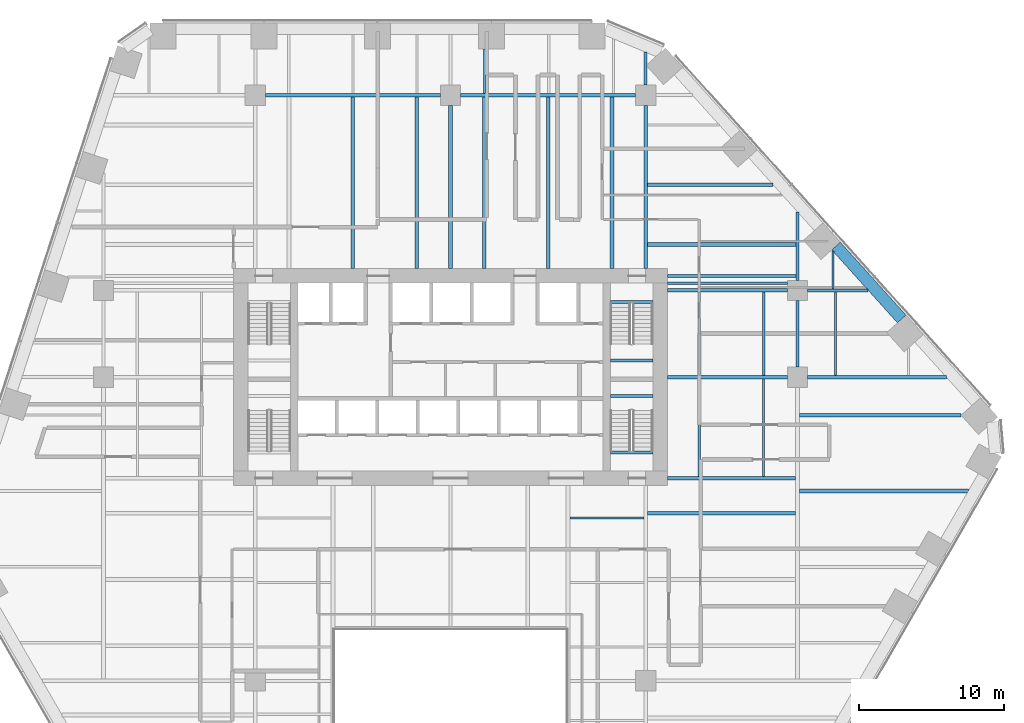
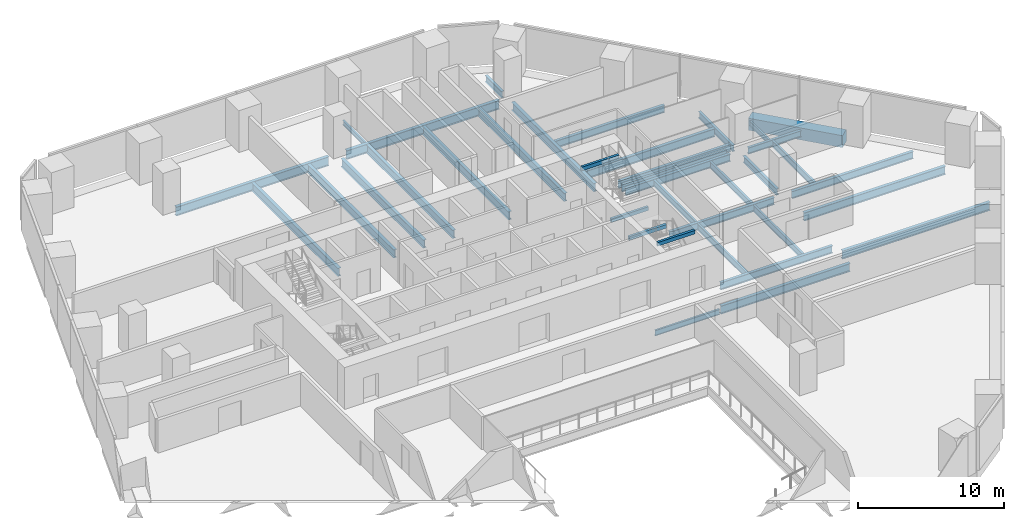
# One storey, part 9 of 21: 37 beams.
"""IFC4 building model written with IfcOpenShell, lengths in metres."""

from ifc_helpers import new_model, si_unit, direction, frame, origin, origin_2d, place, context, subcontext, project, spatial, rectangle, i_section, extrude, material, material_profile, profile_set, type_object, element, save


model = new_model("IFC4")

# Units and contexts
model_context = context("Model", 3, precision=1e-05, world=origin(), true_north=direction((0.0, 1.0)))
body_context = subcontext(model_context, "Body", "Model", "MODEL_VIEW")
ifc_project = project(units=[si_unit("LENGTHUNIT", "METRE"), si_unit("AREAUNIT", "SQUARE_METRE"), si_unit("VOLUMEUNIT", "CUBIC_METRE"), si_unit("PLANEANGLEUNIT", "RADIAN"), si_unit("MASSUNIT", "GRAM", prefix="KILO")], contexts=[model_context])

# Site, building, storey
site_placement = place(None, origin())
site = spatial("IfcSite", under=ifc_project, at=site_placement, CompositionType="ELEMENT")
building_placement = place(site_placement, origin())
building = spatial("IfcBuilding", under=site, at=building_placement, Name="Isthmus Gate Tower", CompositionType="ELEMENT")
storey_placement = place(building_placement, frame((0.0, 0.0, 50.60009765625)))
storey = spatial("IfcBuildingStorey", under=building, at=storey_placement, Name="L10", CompositionType="ELEMENT", Elevation=50.60009765625)

# Beams
ifc_material_1 = material(Name="Concrete f'c 70 MPa", Category="concrete")
ifc_material_profile_1 = material_profile(ifc_material_1, rectangle(XDim=0.800048828125, YDim=1.0, at=origin_2d()), Name="RC 800X1000")
ifc_profile_set_1 = profile_set([ifc_material_profile_1], Name="Concrete f'c 70 MPa")
beam_type_1 = type_object("IfcBeamType", Name="RC SPANDREL 800 X 1000", PredefinedType="SPANDREL", material=ifc_profile_set_1)
beam_1_placement = place(storey_placement, frame((26.664794921875, 16.566162109375, -0.5), z_axis=(0.669117690519, -0.743156454748, 0.0), x_axis=(0.743156454748, 0.669117690519, 0.0)))
element("IfcBeam", 1, at=beam_1_placement, inside=storey, type_object=beam_type_1, Name="str-spandrel-L10-03", PredefinedType="SPANDREL", context=body_context, shape_type="SweptSolid", body=[
    extrude(rectangle(XDim=0.800048828125, YDim=1.0, at=origin_2d()), origin(), (0.0, 0.0, 1.0), 6.78955078125),
])
ifc_material_2 = material(Name="Concrete f'c 40 MPa", Category="concrete")
ifc_material_profile_2 = material_profile(ifc_material_2, rectangle(XDim=0.199951171875, YDim=0.300048828125, at=origin_2d()), Name="STAIR LANDING BEAM RC 200 X 300")
ifc_profile_set_2 = profile_set([ifc_material_profile_2], Name="Concrete f'c 40 MPa")
beam_type_2 = type_object("IfcBeamType", Name="STAIR LANDING BEAM RC 200 X 300", PredefinedType="BEAM", material=ifc_profile_set_2)
for number, where, z_axis, x_axis, name in (
    (2, (11.050048828125, 8.64990234375, 1.474853515625), (1.0, 0.0, 0.0), (0.0, 1.0, 0.0), "L10 ST2 landing beam 1"),
    (3, (11.050048828125, 12.7001953125, 3.349853515625), (1.0, 0.0, 0.0), (0.0, 1.0, 0.0), "L10 ST2 floor-edge seat beam"),
    (4, (11.050048828125, 6.199951171875, 1.474853515625), (1.0, 0.0, 0.0), (0.0, 1.0, 0.0), "L10 ST8 landing beam 1"),
    (5, (11.050048828125, 2.2998046875, 3.349853515625), (1.0, 0.0, 0.0), (0.0, 1.0, 0.0), "L10 ST8 floor-edge seat beam"),
):
    element("IfcBeam", number, at=place(storey_placement, frame(where, z_axis=z_axis, x_axis=x_axis)), inside=storey, type_object=beam_type_2, Name=name, PredefinedType="BEAM", context=body_context, shape_type="SweptSolid", body=[
        extrude(rectangle(XDim=0.199951171875, YDim=0.300048828125, at=origin_2d()), origin(), (0.0, 0.0, 1.0), 2.949951171875),
    ])
ifc_material_3 = material(Name="Structural steel ASTM A992 Gr 50", Category="steel")
ifc_material_profile_3 = material_profile(ifc_material_3, i_section(OverallWidth=0.1396484375, OverallDepth=0.4033203125, WebThickness=0.00634765625, FlangeThickness=0.010986328125, at=origin_2d()), Name="W16X31")
ifc_profile_set_3 = profile_set([ifc_material_profile_3], Name="Structural steel ASTM A992 Gr 50")
beam_type_3 = type_object("IfcBeamType", Name="STEEL FLOOR BEAM W16X31", PredefinedType="JOIST", material=ifc_profile_set_3)
beam_2_placement = place(storey_placement, frame((2.33740234375, 27.1318359375, -0.351806640625), z_axis=(0.0, 1.0, 0.0), x_axis=(-1.0, 0.0, 0.0)))
element("IfcBeam", 6, at=beam_2_placement, inside=storey, type_object=beam_type_3, Name="str-beam-L10-19-00", PredefinedType="JOIST", context=body_context, shape_type="SweptSolid", body=[
    extrude(i_section(OverallWidth=0.1396484375, OverallDepth=0.4033203125, WebThickness=0.00634765625, FlangeThickness=0.010986328125, at=origin_2d()), origin(), (0.0, 0.0, 1.0), 3.068115234375),
])
beam_3_placement = place(storey_placement, frame((26.448974609375, 13.604736328125, -0.351806640625), z_axis=(0.0, 1.0, 0.0), x_axis=(-1.0, 0.0, 0.0)))
element("IfcBeam", 7, at=beam_3_placement, inside=storey, type_object=beam_type_3, Name="str-beam-L10-32-00", PredefinedType="JOIST", context=body_context, shape_type="SweptSolid", body=[
    extrude(i_section(OverallWidth=0.1396484375, OverallDepth=0.4033203125, WebThickness=0.00634765625, FlangeThickness=0.010986328125, at=origin_2d()), origin(), (0.0, 0.0, 1.0), 2.603515625),
])
ifc_material_4 = material(Name="Structural steel ASTM A992 Gr 50", Category="steel")
ifc_material_profile_4 = material_profile(ifc_material_4, i_section(OverallWidth=0.15234375, OverallDepth=0.45068359375, WebThickness=0.0078125, FlangeThickness=0.010986328125, at=origin_2d()), Name="W18X35")
ifc_profile_set_4 = profile_set([ifc_material_profile_4], Name="Structural steel ASTM A992 Gr 50")
beam_type_4 = type_object("IfcBeamType", Name="STEEL FLOOR BEAM W18X35", PredefinedType="JOIST", material=ifc_profile_set_4)
beam_4_placement = place(storey_placement, frame((8.263427734375, -2.232421875, -0.37548828125), z_axis=(1.0, 0.0, 0.0), x_axis=(0.0, 1.0, 0.0)))
element("IfcBeam", 8, at=beam_4_placement, inside=storey, type_object=beam_type_4, Name="str-beam-L10-23-02", PredefinedType="JOIST", context=body_context, shape_type="SweptSolid", body=[
    extrude(i_section(OverallWidth=0.15234375, OverallDepth=0.45068359375, WebThickness=0.0078125, FlangeThickness=0.010986328125, at=origin_2d()), origin(), (0.0, 0.0, 1.0), 5.104736328125),
])
ifc_material_5 = material(Name="Structural steel ASTM A992 Gr 50", Category="steel")
ifc_material_profile_5 = material_profile(ifc_material_5, i_section(OverallWidth=0.1650390625, OverallDepth=0.52392578125, WebThickness=0.009521484375, FlangeThickness=0.010986328125, at=origin_2d()), Name="W21X44")
ifc_profile_set_5 = profile_set([ifc_material_profile_5], Name="Structural steel ASTM A992 Gr 50")
beam_type_5 = type_object("IfcBeamType", Name="STEEL FLOOR BEAM W21X44", PredefinedType="JOIST", material=ifc_profile_set_5)
for number, where, z_axis, x_axis, name in (
    (9, (17.223876953125, 7.6142578125, -0.412109375), (0.0, 1.0, 0.0), (-1.0, 0.0, 0.0), "str-beam-L10-30-00"),
    (10, (21.67138671875, 7.6142578125, -0.412109375), (0.0, 1.0, 0.0), (-1.0, 0.0, 0.0), "str-beam-L10-30-01"),
):
    element("IfcBeam", number, at=place(storey_placement, frame(where, z_axis=z_axis, x_axis=x_axis)), inside=storey, type_object=beam_type_5, Name=name, PredefinedType="JOIST", context=body_context, shape_type="SweptSolid", body=[
        extrude(i_section(OverallWidth=0.1650390625, OverallDepth=0.52392578125, WebThickness=0.009521484375, FlangeThickness=0.010986328125, at=origin_2d()), origin(), (0.0, 0.0, 1.0), 5.771484375),
    ])
for number, where, z_axis, x_axis, name in (
    (11, (17.216552734375, 0.6142578125, -0.412109375), (0.0, 1.0, 0.0), (-1.0, 0.0, 0.0), "str-beam-L10-31-00"),
    (12, (21.64990234375, 0.6142578125, -0.412109375), (0.0, 1.0, 0.0), (-1.0, 0.0, 0.0), "str-beam-L10-31-01"),
):
    element("IfcBeam", number, at=place(storey_placement, frame(where, z_axis=z_axis, x_axis=x_axis)), inside=storey, type_object=beam_type_5, Name=name, PredefinedType="JOIST", context=body_context, shape_type="SweptSolid", body=[
        extrude(i_section(OverallWidth=0.1650390625, OverallDepth=0.52392578125, WebThickness=0.009521484375, FlangeThickness=0.010986328125, at=origin_2d()), origin(), (0.0, 0.0, 1.0), 6.771484375),
    ])
beam_5_placement = place(storey_placement, frame((26.625244140625, 7.6142578125, -0.412109375), z_axis=(0.0, 1.0, 0.0), x_axis=(-1.0, 0.0, 0.0)))
element("IfcBeam", 13, at=beam_5_placement, inside=storey, type_object=beam_type_5, Name="str-beam-L10-33-00", PredefinedType="JOIST", context=body_context, shape_type="SweptSolid", body=[
    extrude(i_section(OverallWidth=0.1650390625, OverallDepth=0.52392578125, WebThickness=0.009521484375, FlangeThickness=0.010986328125, at=origin_2d()), origin(), (0.0, 0.0, 1.0), 5.781005859375),
])
ifc_material_6 = material(Name="Structural steel ASTM A992 Gr 50", Category="steel")
ifc_material_profile_6 = material_profile(ifc_material_6, i_section(OverallWidth=0.177734375, OverallDepth=0.60009765625, WebThickness=0.009521484375, FlangeThickness=0.0126953125, at=origin_2d()), Name="W24X55")
ifc_profile_set_6 = profile_set([ifc_material_profile_6], Name="Structural steel ASTM A992 Gr 50")
beam_type_6 = type_object("IfcBeamType", Name="STEEL FLOOR BEAM W24X55", PredefinedType="JOIST", material=ifc_profile_set_6)
beam_6_placement = place(storey_placement, frame((15.0, 14.0, -0.4501953125), z_axis=(1.0, 0.0, 0.0), x_axis=(0.0, 1.0, 0.0)))
element("IfcBeam", 14, at=beam_6_placement, inside=storey, type_object=beam_type_6, Name="str-beam-L10-29-00", PredefinedType="JOIST", context=body_context, shape_type="SweptSolid", body=[
    extrude(i_section(OverallWidth=0.177734375, OverallDepth=0.60009765625, WebThickness=0.009521484375, FlangeThickness=0.0126953125, at=origin_2d()), origin(), (0.0, 0.0, 1.0), 8.300048828125),
])
ifc_material_7 = material(Name="Structural steel ASTM A992 Gr 50", Category="steel")
ifc_material_profile_7 = material_profile(ifc_material_7, i_section(OverallWidth=0.228515625, OverallDepth=0.603271484375, WebThickness=0.010986328125, FlangeThickness=0.014404296875, at=origin_2d()), Name="W24X68")
ifc_profile_set_7 = profile_set([ifc_material_profile_7], Name="Structural steel ASTM A992 Gr 50")
beam_type_7 = type_object("IfcBeamType", Name="STEEL FLOOR BEAM W24X68", PredefinedType="JOIST", material=ifc_profile_set_7)
beam_7_placement = place(storey_placement, frame((13.626953125, 20.80712890625, -0.45166015625), z_axis=(1.0, 0.0, 0.0), x_axis=(0.0, 1.0, 0.0)))
element("IfcBeam", 15, at=beam_7_placement, inside=storey, type_object=beam_type_7, Name="str-beam-L10-26-01", PredefinedType="JOIST", context=body_context, shape_type="SweptSolid", body=[
    extrude(i_section(OverallWidth=0.228515625, OverallDepth=0.603271484375, WebThickness=0.010986328125, FlangeThickness=0.014404296875, at=origin_2d()), origin(), (0.0, 0.0, 1.0), 8.680908203125),
])
ifc_material_8 = material(Name="Structural steel ASTM A992 Gr 50", Category="steel")
ifc_material_profile_8 = material_profile(ifc_material_8, i_section(OverallWidth=0.25390625, OverallDepth=0.679443359375, WebThickness=0.010986328125, FlangeThickness=0.015869140625, at=origin_2d()), Name="W27X84")
ifc_profile_set_8 = profile_set([ifc_material_profile_8], Name="Structural steel ASTM A992 Gr 50")
beam_type_8 = type_object("IfcBeamType", Name="STEEL FLOOR BEAM W27X84", PredefinedType="JOIST", material=ifc_profile_set_8)
for number, where, z_axis, x_axis, name in (
    (16, (-6.75, 15.0, -0.48974609375), (0.0, 1.0, 0.0), (-1.0, 0.0, 0.0), "str-beam-L10-13-01"),
    (17, (-2.334716796875, 15.0, -0.48974609375), (0.0, 1.0, 0.0), (-1.0, 0.0, 0.0), "str-beam-L10-13-02"),
    (18, (2.334716796875, 15.0, -0.48974609375), (0.0, 1.0, 0.0), (-1.0, 0.0, 0.0), "str-beam-L10-20-00"),
    (19, (6.75, 15.0, -0.48974609375), (0.0, 1.0, 0.0), (-1.0, 0.0, 0.0), "str-beam-L10-20-01"),
    (20, (11.165283203125, 15.0, -0.48974609375), (0.0, 1.0, 0.0), (-1.0, 0.0, 0.0), "str-beam-L10-20-02"),
):
    element("IfcBeam", number, at=place(storey_placement, frame(where, z_axis=z_axis, x_axis=x_axis)), inside=storey, type_object=beam_type_8, Name=name, PredefinedType="JOIST", context=body_context, shape_type="SweptSolid", body=[
        extrude(i_section(OverallWidth=0.25390625, OverallDepth=0.679443359375, WebThickness=0.010986328125, FlangeThickness=0.015869140625, at=origin_2d()), origin(), (0.0, 0.0, 1.0), 11.8681640625),
    ])
beam_8_placement = place(storey_placement, frame((13.626953125, 16.678466796875, -0.48974609375), z_axis=(1.0, 0.0, 0.0), x_axis=(0.0, 1.0, 0.0)))
element("IfcBeam", 21, at=beam_8_placement, inside=storey, type_object=beam_type_8, Name="str-beam-L10-26-00", PredefinedType="JOIST", context=body_context, shape_type="SweptSolid", body=[
    extrude(i_section(OverallWidth=0.25390625, OverallDepth=0.679443359375, WebThickness=0.010986328125, FlangeThickness=0.015869140625, at=origin_2d()), origin(), (0.0, 0.0, 1.0), 10.268310546875),
])
beam_9_placement = place(storey_placement, frame((13.6318359375, -1.90625, -0.48974609375), z_axis=(1.0, 0.0, 0.0), x_axis=(0.0, 1.0, 0.0)))
element("IfcBeam", 22, at=beam_9_placement, inside=storey, type_object=beam_type_8, Name="str-beam-L10-27-02", PredefinedType="JOIST", context=body_context, shape_type="SweptSolid", body=[
    extrude(i_section(OverallWidth=0.25390625, OverallDepth=0.679443359375, WebThickness=0.010986328125, FlangeThickness=0.015869140625, at=origin_2d()), origin(), (0.0, 0.0, 1.0), 10.23486328125),
])
beam_10_placement = place(storey_placement, frame((24.13330078125, -0.375, -0.48974609375), z_axis=(1.0, 0.0, 0.0), x_axis=(0.0, 1.0, 0.0)))
element("IfcBeam", 23, at=beam_10_placement, inside=storey, type_object=beam_type_8, Name="str-beam-L10-34-02", PredefinedType="JOIST", context=body_context, shape_type="SweptSolid", body=[
    extrude(i_section(OverallWidth=0.25390625, OverallDepth=0.679443359375, WebThickness=0.010986328125, FlangeThickness=0.015869140625, at=origin_2d()), origin(), (0.0, 0.0, 1.0), 11.6767578125),
])
beam_11_placement = place(storey_placement, frame((24.13330078125, 4.875, -0.48974609375), z_axis=(1.0, 0.0, 0.0), x_axis=(0.0, 1.0, 0.0)))
element("IfcBeam", 24, at=beam_11_placement, inside=storey, type_object=beam_type_8, Name="str-beam-L10-34-03", PredefinedType="JOIST", context=body_context, shape_type="SweptSolid", body=[
    extrude(i_section(OverallWidth=0.25390625, OverallDepth=0.679443359375, WebThickness=0.010986328125, FlangeThickness=0.015869140625, at=origin_2d()), origin(), (0.0, 0.0, 1.0), 11.185302734375),
])
ifc_material_9 = material(Name="Structural steel ASTM A992 Gr 50", Category="steel")
ifc_material_profile_9 = material_profile(ifc_material_9, i_section(OverallWidth=0.20947265625, OverallDepth=0.533447265625, WebThickness=0.009521484375, FlangeThickness=0.015869140625, at=origin_2d()), Name="W21X62")
ifc_profile_set_9 = profile_set([ifc_material_profile_9], Name="Structural steel ASTM A992 Gr 50")
beam_type_9 = type_object("IfcBeamType", Name="STEEL GIRDER W21X62", PredefinedType="BEAM", material=ifc_profile_set_9)
beam_12_placement = place(storey_placement, frame((24.699951171875, 13.5, -0.416748046875), z_axis=(1.0, 0.0, 0.0), x_axis=(0.0, 1.0, 0.0)))
element("IfcBeam", 25, at=beam_12_placement, inside=storey, type_object=beam_type_9, Name="str-girder-L10-15", PredefinedType="BEAM", context=body_context, shape_type="SweptSolid", body=[
    extrude(i_section(OverallWidth=0.20947265625, OverallDepth=0.533447265625, WebThickness=0.009521484375, FlangeThickness=0.015869140625, at=origin_2d()), origin(), (0.0, 0.0, 1.0), 4.187255859375),
])
beam_13_placement = place(storey_placement, frame((13.5, 27.699951171875, -0.416748046875), z_axis=(0.0, 1.0, 0.0), x_axis=(-1.0, 0.0, 0.0)))
element("IfcBeam", 26, at=beam_13_placement, inside=storey, type_object=beam_type_9, Name="str-girder-L10-34", PredefinedType="BEAM", context=body_context, shape_type="SweptSolid", body=[
    extrude(i_section(OverallWidth=0.20947265625, OverallDepth=0.533447265625, WebThickness=0.009521484375, FlangeThickness=0.015869140625, at=origin_2d()), origin(), (0.0, 0.0, 1.0), 2.27001953125),
])
beam_14_placement = place(storey_placement, frame((24.0, 8.199951171875, -0.416748046875), z_axis=(0.0, 1.0, 0.0), x_axis=(-1.0, 0.0, 0.0)))
element("IfcBeam", 27, at=beam_14_placement, inside=storey, type_object=beam_type_9, Name="str-girder-L10-36", PredefinedType="BEAM", context=body_context, shape_type="SweptSolid", body=[
    extrude(i_section(OverallWidth=0.20947265625, OverallDepth=0.533447265625, WebThickness=0.009521484375, FlangeThickness=0.015869140625, at=origin_2d()), origin(), (0.0, 0.0, 1.0), 4.60009765625),
])
beam_15_placement = place(storey_placement, frame((24.0, 14.199951171875, -0.416748046875), z_axis=(0.0, 1.0, 0.0), x_axis=(-1.0, 0.0, 0.0)))
element("IfcBeam", 28, at=beam_15_placement, inside=storey, type_object=beam_type_9, Name="str-girder-L10-37", PredefinedType="BEAM", context=body_context, shape_type="SweptSolid", body=[
    extrude(i_section(OverallWidth=0.20947265625, OverallDepth=0.533447265625, WebThickness=0.009521484375, FlangeThickness=0.015869140625, at=origin_2d()), origin(), (0.0, 0.0, 1.0), 4.72802734375),
])
ifc_material_10 = material(Name="Structural steel ASTM A992 Gr 50", Category="steel")
ifc_material_profile_10 = material_profile(ifc_material_10, i_section(OverallWidth=0.228515625, OverallDepth=0.6064453125, WebThickness=0.010986328125, FlangeThickness=0.017578125, at=origin_2d()), Name="W24X76")
ifc_profile_set_10 = profile_set([ifc_material_profile_10], Name="Structural steel ASTM A992 Gr 50")
beam_type_10 = type_object("IfcBeamType", Name="STEEL GIRDER W24X76", PredefinedType="BEAM", material=ifc_profile_set_10)
beam_16_placement = place(storey_placement, frame((15.0, 7.5, -0.453369140625), z_axis=(1.0, 0.0, 0.0), x_axis=(0.0, 1.0, 0.0)))
element("IfcBeam", 29, at=beam_16_placement, inside=storey, type_object=beam_type_10, Name="str-girder-L10-11", PredefinedType="BEAM", context=body_context, shape_type="SweptSolid", body=[
    extrude(i_section(OverallWidth=0.228515625, OverallDepth=0.6064453125, WebThickness=0.010986328125, FlangeThickness=0.017578125, at=origin_2d()), origin(), (0.0, 0.0, 1.0), 8.300048828125),
])
beam_17_placement = place(storey_placement, frame((24.699951171875, 7.5, -0.453369140625), z_axis=(1.0, 0.0, 0.0), x_axis=(0.0, 1.0, 0.0)))
element("IfcBeam", 30, at=beam_17_placement, inside=storey, type_object=beam_type_10, Name="str-girder-L10-12", PredefinedType="BEAM", context=body_context, shape_type="SweptSolid", body=[
    extrude(i_section(OverallWidth=0.228515625, OverallDepth=0.6064453125, WebThickness=0.010986328125, FlangeThickness=0.017578125, at=origin_2d()), origin(), (0.0, 0.0, 1.0), 9.58984375),
])
beam_18_placement = place(storey_placement, frame((15.0, 13.5, -0.453369140625), z_axis=(1.0, 0.0, 0.0), x_axis=(0.0, 1.0, 0.0)))
element("IfcBeam", 31, at=beam_18_placement, inside=storey, type_object=beam_type_10, Name="str-girder-L10-14", PredefinedType="BEAM", context=body_context, shape_type="SweptSolid", body=[
    extrude(i_section(OverallWidth=0.228515625, OverallDepth=0.6064453125, WebThickness=0.010986328125, FlangeThickness=0.017578125, at=origin_2d()), origin(), (0.0, 0.0, 1.0), 8.300048828125),
])
beam_19_placement = place(storey_placement, frame((15.0, 0.5, -0.453369140625), z_axis=(1.0, 0.0, 0.0), x_axis=(0.0, 1.0, 0.0)))
element("IfcBeam", 32, at=beam_19_placement, inside=storey, type_object=beam_type_10, Name="str-girder-L10-39", PredefinedType="BEAM", context=body_context, shape_type="SweptSolid", body=[
    extrude(i_section(OverallWidth=0.228515625, OverallDepth=0.6064453125, WebThickness=0.010986328125, FlangeThickness=0.017578125, at=origin_2d()), origin(), (0.0, 0.0, 1.0), 8.86669921875),
])
beam_20_placement = place(storey_placement, frame((15.0, 14.5, -0.453369140625), z_axis=(1.0, 0.0, 0.0), x_axis=(0.0, 1.0, 0.0)))
element("IfcBeam", 33, at=beam_20_placement, inside=storey, type_object=beam_type_10, Name="str-girder-L10-41", PredefinedType="BEAM", context=body_context, shape_type="SweptSolid", body=[
    extrude(i_section(OverallWidth=0.228515625, OverallDepth=0.6064453125, WebThickness=0.010986328125, FlangeThickness=0.017578125, at=origin_2d()), origin(), (0.0, 0.0, 1.0), 8.895263671875),
])
ifc_material_11 = material(Name="Structural steel ASTM A992 Gr 50", Category="steel")
ifc_material_profile_11 = material_profile(ifc_material_11, i_section(OverallWidth=0.25390625, OverallDepth=0.679443359375, WebThickness=0.010986328125, FlangeThickness=0.015869140625, at=origin_2d()), Name="W27X84")
ifc_profile_set_11 = profile_set([ifc_material_profile_11], Name="Structural steel ASTM A992 Gr 50")
beam_type_11 = type_object("IfcBeamType", Name="STEEL GIRDER W27X84", PredefinedType="BEAM", material=ifc_profile_set_11)
for number, where, z_axis, x_axis, name in (
    (34, (0.0, 15.0, -0.48974609375), (0.0, 1.0, 0.0), (-1.0, 0.0, 0.0), "str-girder-L10-29"),
    (35, (13.5, 15.0, -0.48974609375), (0.0, 1.0, 0.0), (-1.0, 0.0, 0.0), "str-girder-L10-33"),
):
    element("IfcBeam", number, at=place(storey_placement, frame(where, z_axis=z_axis, x_axis=x_axis)), inside=storey, type_object=beam_type_11, Name=name, PredefinedType="BEAM", context=body_context, shape_type="SweptSolid", body=[
        extrude(i_section(OverallWidth=0.25390625, OverallDepth=0.679443359375, WebThickness=0.010986328125, FlangeThickness=0.015869140625, at=origin_2d()), origin(), (0.0, 0.0, 1.0), 11.300048828125),
    ])
ifc_material_12 = material(Name="Structural steel ASTM A992 Gr 50", Category="steel")
ifc_material_profile_12 = material_profile(ifc_material_12, i_section(OverallWidth=0.263427734375, OverallDepth=0.749267578125, WebThickness=0.0126953125, FlangeThickness=0.015869140625, at=origin_2d()), Name="W30X90")
ifc_profile_set_12 = profile_set([ifc_material_profile_12], Name="Structural steel ASTM A992 Gr 50")
beam_type_12 = type_object("IfcBeamType", Name="STEEL GIRDER W30X90", PredefinedType="BEAM", material=ifc_profile_set_12)
for number, where, z_axis, x_axis, name in (
    (36, (-12.800048828125, 27.0, -0.524658203125), (1.0, 0.0, 0.0), (0.0, 1.0, 0.0), "str-girder-L10-17"),
    (37, (0.699951171875, 27.0, -0.524658203125), (1.0, 0.0, 0.0), (0.0, 1.0, 0.0), "str-girder-L10-18"),
):
    element("IfcBeam", number, at=place(storey_placement, frame(where, z_axis=z_axis, x_axis=x_axis)), inside=storey, type_object=beam_type_12, Name=name, PredefinedType="BEAM", context=body_context, shape_type="SweptSolid", body=[
        extrude(i_section(OverallWidth=0.263427734375, OverallDepth=0.749267578125, WebThickness=0.0126953125, FlangeThickness=0.015869140625, at=origin_2d()), origin(), (0.0, 0.0, 1.0), 12.10009765625),
    ])

save(model, "model.ifc")
